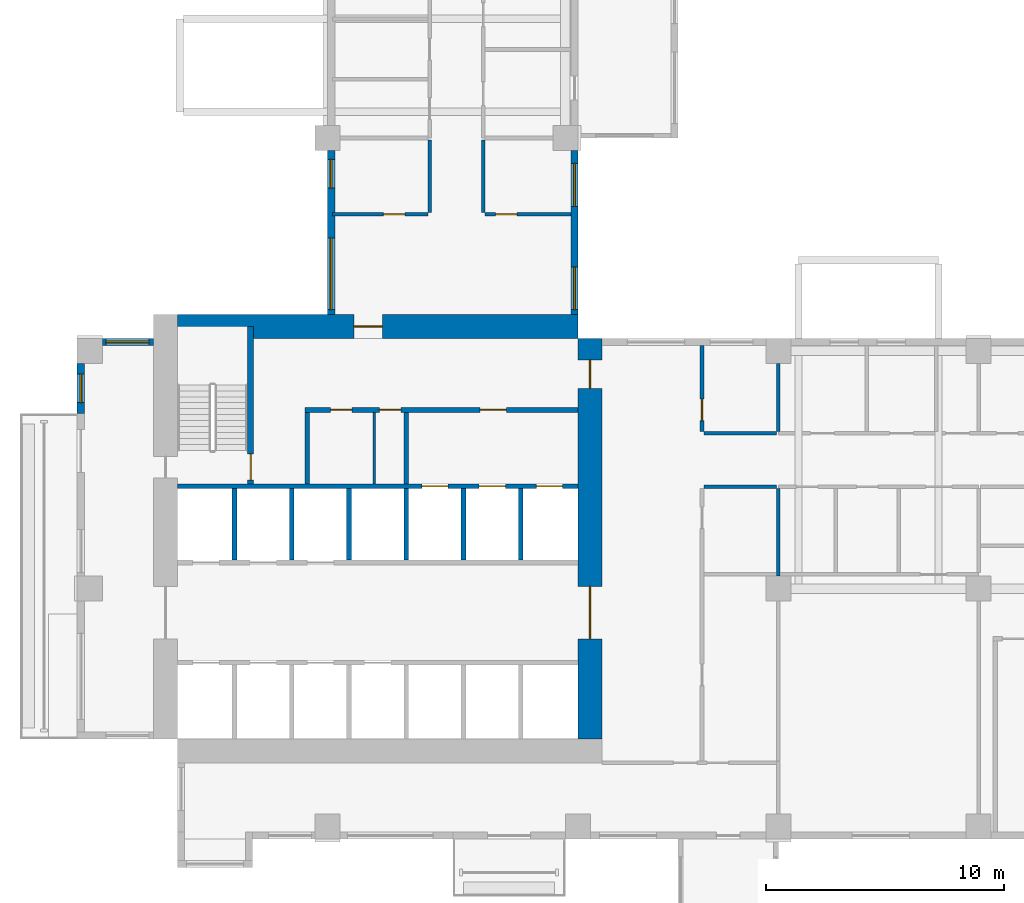
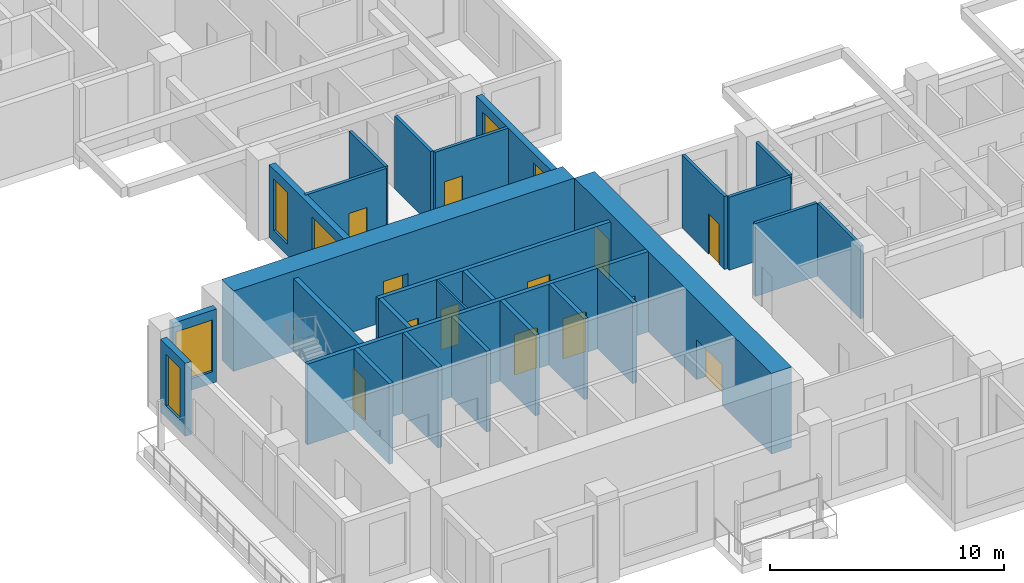
# One storey, part 3 of 14: 27 walls, 13 doors, 6 windows, 19 openings.
"""IFC4 building model written with IfcOpenShell, lengths in metres."""

from ifc_helpers import new_model, si_unit, direction, frame, frame_2d, origin, place, context, subcontext, project, spatial, rectangle, extrude, source, transform, mapped, material, layer, layer_set, type_object, element, fill, save


model = new_model("IFC4")

# Units and contexts
model_context = context("Model", 3, precision=1e-05, world=origin(), true_north=direction((0.0, 1.0)))
body_context = subcontext(model_context, "Body", "Model", "MODEL_VIEW")
ifc_project = project(units=[si_unit("LENGTHUNIT", "METRE"), si_unit("AREAUNIT", "SQUARE_METRE"), si_unit("VOLUMEUNIT", "CUBIC_METRE"), si_unit("PLANEANGLEUNIT", "RADIAN"), si_unit("MASSUNIT", "GRAM", prefix="KILO")], contexts=[model_context])

# Site, building, storey
site_placement = place(None, origin())
site = spatial("IfcSite", under=ifc_project, at=site_placement, CompositionType="ELEMENT")
building_placement = place(site_placement, origin())
building = spatial("IfcBuilding", under=site, at=building_placement, Name="Aurelian Terraces", CompositionType="ELEMENT")
storey_placement = place(building_placement, frame((0.0, 0.0, 132.9)))
storey = spatial("IfcBuildingStorey", under=building, at=storey_placement, Name="L29", CompositionType="ELEMENT", Elevation=132.9)

# Wall, openings, doors
ifc_material_1 = material(Name="Concrete fc' 83 MPa", Category="concrete")
ifc_layer_1 = layer(ifc_material_1, 1.0)
ifc_layer_set_1 = layer_set([ifc_layer_1], Name="CORE WALL 1000 FC83")
wall_type_1 = type_object("IfcWallType", Name="CORE WALL 1000 FC83", PredefinedType="SHEAR", material=ifc_layer_set_1)
shared_shape_1 = source(origin(), body_context, "Body", "SweptSolid", [
    extrude(rectangle(XDim=16.8, YDim=1.0, at=frame_2d((8.4, 0.0))), origin(), (0.0, 0.0, 1.0), 4.2),
])
wall_1_placement = place(storey_placement, frame((21.5, 4.2, 0.0), z_axis=(0.0, 0.0, 1.0), x_axis=(0.0, 1.0, 0.0)))
wall_1 = element("IfcWall", 1, at=wall_1_placement, inside=storey, type_object=wall_type_1, Name="Core wall E L29", PredefinedType="SHEAR", context=body_context, shape_type="MappedRepresentation", body=[
    mapped(shared_shape_1, transform((0.0, 0.0, 0.0), scale=1.0)),
])
shared_shape_2 = source(origin(), body_context, "Body", "SweptSolid", [
    extrude(rectangle(XDim=2.2, YDim=2.1, at=frame_2d((1.1, 1.05))), frame((0.0, 0.51, 0.0), z_axis=(0.0, -1.0, 0.0), x_axis=(1.0, 0.0, 0.0)), (0.0, 0.0, 1.0), 1.02),
])
opening_1_placement = place(wall_1_placement, frame((4.2, 0.0, 0.0)))
opening_1 = element("IfcOpeningElement", 2, at=opening_1_placement, cuts=wall_1, Name="Opening 63220", PredefinedType="OPENING", context=body_context, shape_type="MappedRepresentation", body=[
    mapped(shared_shape_2, transform((0.0, 0.0, 0.0), scale=1.0)),
])
shared_shape_3 = source(origin(), body_context, "Body", "SweptSolid", [
    extrude(rectangle(XDim=1.2, YDim=2.1, at=frame_2d((0.6, 1.05))), frame((0.0, 0.51, 0.0), z_axis=(0.0, -1.0, 0.0), x_axis=(1.0, 0.0, 0.0)), (0.0, 0.0, 1.0), 1.02),
])
opening_2_placement = place(wall_1_placement, frame((14.7, 0.0, 0.0)))
opening_2 = element("IfcOpeningElement", 3, at=opening_2_placement, cuts=wall_1, Name="Opening 63223", PredefinedType="OPENING", context=body_context, shape_type="MappedRepresentation", body=[
    mapped(shared_shape_3, transform((0.0, 0.0, 0.0), scale=1.0)),
])
ifc_material_2 = material(Name="Steel door leaf", Category="steel")
door_type_1 = type_object("IfcDoorType", Name="Core fire door 1200x2100 right", OperationType="SINGLE_SWING_RIGHT", PredefinedType="DOOR", material=ifc_material_2)
shared_shape_4 = source(origin(), body_context, "Body", "SweptSolid", [
    extrude(rectangle(XDim=1.2, YDim=2.1, at=frame_2d((0.6, 1.05))), frame((0.0, 0.025, 0.0), z_axis=(0.0, -1.0, 0.0), x_axis=(1.0, 0.0, 0.0)), (0.0, 0.0, 1.0), 0.05),
])
door_1_placement = place(opening_2_placement, origin())
door_1 = element("IfcDoor", 4, at=door_1_placement, inside=storey, type_object=door_type_1, Name="Core door 63223", OperationType="SINGLE_SWING_RIGHT", OverallHeight=2.1, OverallWidth=1.2, PredefinedType="DOOR", context=body_context, shape_type="MappedRepresentation", body=[
    mapped(shared_shape_4, transform((0.0, 0.0, 0.0), scale=1.0)),
])
fill(opening_2, door_1)
door_type_2 = type_object("IfcDoorType", Name="Core double door 2200x2100", OperationType="DOUBLE_DOOR_SINGLE_SWING", PredefinedType="DOOR", material=ifc_material_2)
shared_shape_5 = source(origin(), body_context, "Body", "SweptSolid", [
    extrude(rectangle(XDim=2.2, YDim=2.1, at=frame_2d((1.1, 1.05))), frame((0.0, 0.025, 0.0), z_axis=(0.0, -1.0, 0.0), x_axis=(1.0, 0.0, 0.0)), (0.0, 0.0, 1.0), 0.05),
])
door_2_placement = place(opening_1_placement, origin())
door_2 = element("IfcDoor", 5, at=door_2_placement, inside=storey, type_object=door_type_2, Name="Core door 63220", OperationType="DOUBLE_DOOR_SINGLE_SWING", OverallHeight=2.1, OverallWidth=2.2, PredefinedType="DOOR", context=body_context, shape_type="MappedRepresentation", body=[
    mapped(shared_shape_5, transform((0.0, 0.0, 0.0), scale=1.0)),
])
fill(opening_1, door_2)

# Wall, opening, door
wall_2_placement = place(storey_placement, frame((4.2, 21.5, 0.0), z_axis=(0.0, 0.0, 1.0), x_axis=(1.0, 0.0, 0.0)))
wall_2 = element("IfcWall", 6, at=wall_2_placement, inside=storey, type_object=wall_type_1, Name="Core wall N L29", PredefinedType="SHEAR", context=body_context, shape_type="MappedRepresentation", body=[
    mapped(shared_shape_1, transform((0.0, 0.0, 0.0), scale=1.0)),
])
opening_3_placement = place(wall_2_placement, frame((7.4, 0.0, 0.0)))
opening_3 = element("IfcOpeningElement", 7, at=opening_3_placement, cuts=wall_2, Name="Opening 63222", PredefinedType="OPENING", context=body_context, shape_type="MappedRepresentation", body=[
    mapped(shared_shape_3, transform((0.0, 0.0, 0.0), scale=1.0)),
])
door_type_3 = type_object("IfcDoorType", Name="Core fire door 1200x2100", OperationType="SINGLE_SWING_LEFT", PredefinedType="DOOR", material=ifc_material_2)
door_3_placement = place(opening_3_placement, origin())
door_3 = element("IfcDoor", 8, at=door_3_placement, inside=storey, type_object=door_type_3, Name="Core door 63222", OperationType="SINGLE_SWING_LEFT", OverallHeight=2.1, OverallWidth=1.2, PredefinedType="DOOR", context=body_context, shape_type="MappedRepresentation", body=[
    mapped(shared_shape_4, transform((0.0, 0.0, 0.0), scale=1.0)),
])
fill(opening_3, door_3)

# Wall, openings, windows
ifc_material_3 = material(Name="Terracotta rainscreen cladding", Category="masonry")
ifc_layer_2 = layer(ifc_material_3, 0.3)
ifc_layer_set_2 = layer_set([ifc_layer_2], Name="EW-300")
wall_type_2 = type_object("IfcWallType", Name="EW-300", PredefinedType="STANDARD", material=ifc_layer_set_2)
shared_shape_6 = source(origin(), body_context, "Body", "SweptSolid", [
    extrude(rectangle(XDim=6.875, YDim=0.3, at=frame_2d((3.4375, 0.0))), origin(), (0.0, 0.0, 1.0), 3.8),
])
wall_3_placement = place(storey_placement, frame((20.85, 22.0, 0.0), z_axis=(0.0, 0.0, 1.0), x_axis=(0.0, 1.0, 0.0)))
wall_3 = element("IfcWall", 9, at=wall_3_placement, inside=storey, type_object=wall_type_2, Name="External wall L29 F08.22", PredefinedType="STANDARD", context=body_context, shape_type="MappedRepresentation", body=[
    mapped(shared_shape_6, transform((0.0, 0.0, 0.0), scale=1.0)),
])
shared_shape_7 = source(origin(), body_context, "Body", "SweptSolid", [
    extrude(rectangle(XDim=1.8, YDim=2.7, at=frame_2d((0.9, 1.35))), frame((0.0, 0.16, 0.0), z_axis=(0.0, -1.0, 0.0), x_axis=(1.0, 0.0, 0.0)), (0.0, 0.0, 1.0), 0.32),
])
opening_4_placement = place(wall_3_placement, frame((0.2, 0.0, 0.6)))
opening_4 = element("IfcOpeningElement", 10, at=opening_4_placement, cuts=wall_3, Name="Opening W1827", PredefinedType="OPENING", context=body_context, shape_type="MappedRepresentation", body=[
    mapped(shared_shape_7, transform((0.0, 0.0, 0.0), scale=1.0)),
])
opening_5_placement = place(wall_3_placement, frame((4.5375, 0.0, 0.6)))
opening_5 = element("IfcOpeningElement", 11, at=opening_5_placement, cuts=wall_3, Name="Opening W1827", PredefinedType="OPENING", context=body_context, shape_type="MappedRepresentation", body=[
    mapped(shared_shape_7, transform((0.0, 0.0, 0.0), scale=1.0)),
])
ifc_material_4 = material(Name="Clear glazing", Category="glass")
window_type_1 = type_object("IfcWindowType", Name="W-1800x2700", PartitioningType="SINGLE_PANEL", PredefinedType="WINDOW", material=ifc_material_4)
shared_shape_8 = source(origin(), body_context, "Body", "SweptSolid", [
    extrude(rectangle(XDim=1.8, YDim=2.7, at=frame_2d((0.9, 1.35))), frame((0.0, 0.03, 0.0), z_axis=(0.0, -1.0, 0.0), x_axis=(1.0, 0.0, 0.0)), (0.0, 0.0, 1.0), 0.06),
])
window_1_placement = place(opening_4_placement, origin())
window_1 = element("IfcWindow", 12, at=window_1_placement, inside=storey, type_object=window_type_1, Name="Window L29 L29-F08-22-0", OverallHeight=2.7, OverallWidth=1.8, PartitioningType="SINGLE_PANEL", PredefinedType="WINDOW", context=body_context, shape_type="MappedRepresentation", body=[
    mapped(shared_shape_8, transform((0.0, 0.0, 0.0), scale=1.0)),
])
fill(opening_4, window_1)
window_2_placement = place(opening_5_placement, origin())
window_2 = element("IfcWindow", 13, at=window_2_placement, inside=storey, type_object=window_type_1, Name="Window L29 L29-F08-22-1", OverallHeight=2.7, OverallWidth=1.8, PartitioningType="SINGLE_PANEL", PredefinedType="WINDOW", context=body_context, shape_type="MappedRepresentation", body=[
    mapped(shared_shape_8, transform((0.0, 0.0, 0.0), scale=1.0)),
])
fill(opening_5, window_2)

wall_4_placement = place(storey_placement, frame((10.65, 28.875, 0.0), z_axis=(0.0, 0.0, 1.0), x_axis=(0.0, -1.0, 0.0)))
wall_4 = element("IfcWall", 14, at=wall_4_placement, inside=storey, type_object=wall_type_2, Name="External wall L29 F18.36", PredefinedType="STANDARD", context=body_context, shape_type="MappedRepresentation", body=[
    mapped(shared_shape_6, transform((0.0, 0.0, 0.0), scale=1.0)),
])
shared_shape_9 = source(origin(), body_context, "Body", "SweptSolid", [
    extrude(rectangle(XDim=1.2, YDim=2.7, at=frame_2d((0.6, 1.35))), frame((0.0, 0.16, 0.0), z_axis=(0.0, -1.0, 0.0), x_axis=(1.0, 0.0, 0.0)), (0.0, 0.0, 1.0), 0.32),
])
opening_6_placement = place(wall_4_placement, frame((0.375, 0.0, 0.6)))
opening_6 = element("IfcOpeningElement", 15, at=opening_6_placement, cuts=wall_4, Name="Opening W1227", PredefinedType="OPENING", context=body_context, shape_type="MappedRepresentation", body=[
    mapped(shared_shape_9, transform((0.0, 0.0, 0.0), scale=1.0)),
])
shared_shape_10 = source(origin(), body_context, "Body", "SweptSolid", [
    extrude(rectangle(XDim=3.0, YDim=2.7, at=frame_2d((1.5, 1.35))), frame((0.0, 0.16, 0.0), z_axis=(0.0, -1.0, 0.0), x_axis=(1.0, 0.0, 0.0)), (0.0, 0.0, 1.0), 0.32),
])
opening_7_placement = place(wall_4_placement, frame((3.675, 0.0, 0.6)))
opening_7 = element("IfcOpeningElement", 16, at=opening_7_placement, cuts=wall_4, Name="Opening W3027", PredefinedType="OPENING", context=body_context, shape_type="MappedRepresentation", body=[
    mapped(shared_shape_10, transform((0.0, 0.0, 0.0), scale=1.0)),
])
window_type_2 = type_object("IfcWindowType", Name="W-1200x2700", PartitioningType="SINGLE_PANEL", PredefinedType="WINDOW", material=ifc_material_4)
shared_shape_11 = source(origin(), body_context, "Body", "SweptSolid", [
    extrude(rectangle(XDim=1.2, YDim=2.7, at=frame_2d((0.6, 1.35))), frame((0.0, 0.03, 0.0), z_axis=(0.0, -1.0, 0.0), x_axis=(1.0, 0.0, 0.0)), (0.0, 0.0, 1.0), 0.06),
])
window_3_placement = place(opening_6_placement, origin())
window_3 = element("IfcWindow", 17, at=window_3_placement, inside=storey, type_object=window_type_2, Name="Window L29 L29-F18-36-2", OverallHeight=2.7, OverallWidth=1.2, PartitioningType="SINGLE_PANEL", PredefinedType="WINDOW", context=body_context, shape_type="MappedRepresentation", body=[
    mapped(shared_shape_11, transform((0.0, 0.0, 0.0), scale=1.0)),
])
fill(opening_6, window_3)
window_type_3 = type_object("IfcWindowType", Name="W-3000x2700", PartitioningType="SINGLE_PANEL", PredefinedType="WINDOW", material=ifc_material_4)
shared_shape_12 = source(origin(), body_context, "Body", "SweptSolid", [
    extrude(rectangle(XDim=3.0, YDim=2.7, at=frame_2d((1.5, 1.35))), frame((0.0, 0.03, 0.0), z_axis=(0.0, -1.0, 0.0), x_axis=(1.0, 0.0, 0.0)), (0.0, 0.0, 1.0), 0.06),
])
window_4_placement = place(opening_7_placement, origin())
window_4 = element("IfcWindow", 18, at=window_4_placement, inside=storey, type_object=window_type_3, Name="Window L29 L29-F18-36-3", OverallHeight=2.7, OverallWidth=3.0, PartitioningType="SINGLE_PANEL", PredefinedType="WINDOW", context=body_context, shape_type="MappedRepresentation", body=[
    mapped(shared_shape_12, transform((0.0, 0.0, 0.0), scale=1.0)),
])
fill(opening_7, window_4)

# Wall, opening, window
shared_shape_13 = source(origin(), body_context, "Body", "SweptSolid", [
    extrude(rectangle(XDim=2.15, YDim=0.3, at=frame_2d((1.075, 0.0))), origin(), (0.0, 0.0, 1.0), 3.8),
])
wall_5_placement = place(storey_placement, frame((3.2, 20.85, 0.0), z_axis=(0.0, 0.0, 1.0), x_axis=(-1.0, 0.0, 0.0)))
wall_5 = element("IfcWall", 19, at=wall_5_placement, inside=storey, type_object=wall_type_2, Name="External wall L29 F21.39", PredefinedType="STANDARD", context=body_context, shape_type="MappedRepresentation", body=[
    mapped(shared_shape_13, transform((0.0, 0.0, 0.0), scale=1.0)),
])
opening_8_placement = place(wall_5_placement, frame((0.2, 0.0, 0.6)))
opening_8 = element("IfcOpeningElement", 20, at=opening_8_placement, cuts=wall_5, Name="Opening W1827", PredefinedType="OPENING", context=body_context, shape_type="MappedRepresentation", body=[
    mapped(shared_shape_7, transform((0.0, 0.0, 0.0), scale=1.0)),
])
window_5_placement = place(opening_8_placement, origin())
window_5 = element("IfcWindow", 21, at=window_5_placement, inside=storey, type_object=window_type_1, Name="Window L29 L29-F21-39-0", OverallHeight=2.7, OverallWidth=1.8, PartitioningType="SINGLE_PANEL", PredefinedType="WINDOW", context=body_context, shape_type="MappedRepresentation", body=[
    mapped(shared_shape_8, transform((0.0, 0.0, 0.0), scale=1.0)),
])
fill(opening_8, window_5)

shared_shape_14 = source(origin(), body_context, "Body", "SweptSolid", [
    extrude(rectangle(XDim=2.1, YDim=0.3, at=frame_2d((1.05, 0.0))), origin(), (0.0, 0.0, 1.0), 3.8),
])
wall_6_placement = place(storey_placement, frame((0.15, 19.95, 0.0), z_axis=(0.0, 0.0, 1.0), x_axis=(0.0, -1.0, 0.0)))
wall_6 = element("IfcWall", 22, at=wall_6_placement, inside=storey, type_object=wall_type_2, Name="External wall L29 F22.40", PredefinedType="STANDARD", context=body_context, shape_type="MappedRepresentation", body=[
    mapped(shared_shape_14, transform((0.0, 0.0, 0.0), scale=1.0)),
])
opening_9_placement = place(wall_6_placement, frame((0.45, 0.0, 0.6)))
opening_9 = element("IfcOpeningElement", 23, at=opening_9_placement, cuts=wall_6, Name="Opening W1227", PredefinedType="OPENING", context=body_context, shape_type="MappedRepresentation", body=[
    mapped(shared_shape_9, transform((0.0, 0.0, 0.0), scale=1.0)),
])
window_6_placement = place(opening_9_placement, origin())
window_6 = element("IfcWindow", 24, at=window_6_placement, inside=storey, type_object=window_type_2, Name="Window L29 L29-F22-40-P0", OverallHeight=2.7, OverallWidth=1.2, PartitioningType="SINGLE_PANEL", PredefinedType="WINDOW", context=body_context, shape_type="MappedRepresentation", body=[
    mapped(shared_shape_11, transform((0.0, 0.0, 0.0), scale=1.0)),
])
fill(opening_9, window_6)

# Walls
ifc_material_5 = material(Name="Concrete fc' 40 MPa", Category="concrete")
ifc_layer_3 = layer(ifc_material_5, 0.2)
ifc_layer_set_3 = layer_set([ifc_layer_3], Name="Lift shaft wall 200")
wall_type_3 = type_object("IfcWallType", Name="Lift shaft wall 200", PredefinedType="SOLIDWALL", material=ifc_layer_set_3)
shared_shape_15 = source(origin(), body_context, "Body", "SweptSolid", [
    extrude(rectangle(XDim=3.0, YDim=0.2, at=frame_2d((1.5, 0.0))), origin(), (0.0, 0.0, 1.0), 4.2),
])
for number, where, z_axis, x_axis, name in (
    (25, (6.6, 11.7, 0.0), (0.0, 0.0, 1.0), (0.0, 1.0, 0.0), "L29 core wall CD-B1"),
    (26, (9.0, 11.7, 0.0), (0.0, 0.0, 1.0), (0.0, 1.0, 0.0), "L29 core wall CD-B2"),
    (27, (11.4, 11.7, 0.0), (0.0, 0.0, 1.0), (0.0, 1.0, 0.0), "L29 core wall CD-B3"),
    (28, (13.8, 11.7, 0.0), (0.0, 0.0, 1.0), (0.0, 1.0, 0.0), "L29 core wall CD-B4"),
    (29, (16.2, 11.7, 0.0), (0.0, 0.0, 1.0), (0.0, 1.0, 0.0), "L29 core wall CD-B5"),
    (30, (18.6, 11.7, 0.0), (0.0, 0.0, 1.0), (0.0, 1.0, 0.0), "L29 core wall CD-B6"),
):
    element("IfcWall", number, at=place(storey_placement, frame(where, z_axis=z_axis, x_axis=x_axis)), inside=storey, type_object=wall_type_3, Name=name, PredefinedType="SOLIDWALL", context=body_context, shape_type="MappedRepresentation", body=[
        mapped(shared_shape_15, transform((0.0, 0.0, 0.0), scale=1.0)),
    ])

# Wall, openings, doors
shared_shape_16 = source(origin(), body_context, "Body", "SweptSolid", [
    extrude(rectangle(XDim=16.8, YDim=0.2, at=frame_2d((8.4, 0.0))), origin(), (0.0, 0.0, 1.0), 4.2),
])
wall_7_placement = place(storey_placement, frame((4.2, 14.8, 0.0), z_axis=(0.0, 0.0, 1.0), x_axis=(1.0, 0.0, 0.0)))
wall_7 = element("IfcWall", 31, at=wall_7_placement, inside=storey, type_object=wall_type_3, Name="L29 core wall CF-BB1", PredefinedType="SOLIDWALL", context=body_context, shape_type="MappedRepresentation", body=[
    mapped(shared_shape_16, transform((0.0, 0.0, 0.0), scale=1.0)),
])
shared_shape_17 = source(origin(), body_context, "Body", "SweptSolid", [
    extrude(rectangle(XDim=1.1, YDim=2.1, at=frame_2d((0.55, 1.05))), frame((0.0, 0.11, 0.0), z_axis=(0.0, -1.0, 0.0), x_axis=(1.0, 0.0, 0.0)), (0.0, 0.0, 1.0), 0.22),
])
opening_10_placement = place(wall_7_placement, frame((10.25, 0.0, 0.0)))
opening_10 = element("IfcOpeningElement", 32, at=opening_10_placement, cuts=wall_7, Name="Opening 63207", PredefinedType="OPENING", context=body_context, shape_type="MappedRepresentation", body=[
    mapped(shared_shape_17, transform((0.0, 0.0, 0.0), scale=1.0)),
])
opening_11_placement = place(wall_7_placement, frame((12.65, 0.0, 0.0)))
opening_11 = element("IfcOpeningElement", 33, at=opening_11_placement, cuts=wall_7, Name="Opening 63208", PredefinedType="OPENING", context=body_context, shape_type="MappedRepresentation", body=[
    mapped(shared_shape_17, transform((0.0, 0.0, 0.0), scale=1.0)),
])
opening_12_placement = place(wall_7_placement, frame((15.05, 0.0, 0.0)))
opening_12 = element("IfcOpeningElement", 34, at=opening_12_placement, cuts=wall_7, Name="Opening 63209", PredefinedType="OPENING", context=body_context, shape_type="MappedRepresentation", body=[
    mapped(shared_shape_17, transform((0.0, 0.0, 0.0), scale=1.0)),
])
ifc_material_6 = material(Name="Stainless steel", Category="steel")
door_type_4 = type_object("IfcDoorType", Name="Lift landing door 1100x2100", OperationType="SLIDING_TO_LEFT", PredefinedType="DOOR", material=ifc_material_6)
shared_shape_18 = source(origin(), body_context, "Body", "SweptSolid", [
    extrude(rectangle(XDim=1.1, YDim=2.1, at=frame_2d((0.55, 1.05))), frame((0.0, 0.025, 0.0), z_axis=(0.0, -1.0, 0.0), x_axis=(1.0, 0.0, 0.0)), (0.0, 0.0, 1.0), 0.05),
])
door_4_placement = place(opening_10_placement, origin())
door_4 = element("IfcDoor", 35, at=door_4_placement, inside=storey, type_object=door_type_4, Name="Lift landing door F1 L29", OperationType="SLIDING_TO_LEFT", OverallHeight=2.1, OverallWidth=1.1, PredefinedType="DOOR", context=body_context, shape_type="MappedRepresentation", body=[
    mapped(shared_shape_18, transform((0.0, 0.0, 0.0), scale=1.0)),
])
fill(opening_10, door_4)
door_5_placement = place(opening_11_placement, origin())
door_5 = element("IfcDoor", 36, at=door_5_placement, inside=storey, type_object=door_type_4, Name="Lift landing door F2 L29", OperationType="SLIDING_TO_LEFT", OverallHeight=2.1, OverallWidth=1.1, PredefinedType="DOOR", context=body_context, shape_type="MappedRepresentation", body=[
    mapped(shared_shape_18, transform((0.0, 0.0, 0.0), scale=1.0)),
])
fill(opening_11, door_5)
door_6_placement = place(opening_12_placement, origin())
door_6 = element("IfcDoor", 37, at=door_6_placement, inside=storey, type_object=door_type_4, Name="Lift landing door F3 L29", OperationType="SLIDING_TO_LEFT", OverallHeight=2.1, OverallWidth=1.1, PredefinedType="DOOR", context=body_context, shape_type="MappedRepresentation", body=[
    mapped(shared_shape_18, transform((0.0, 0.0, 0.0), scale=1.0)),
])
fill(opening_12, door_6)

# Walls
ifc_material_7 = material(Name="Gypsum board on steel studs", Category="steel")
ifc_layer_4 = layer(ifc_material_7, 0.2)
ifc_layer_set_4 = layer_set([ifc_layer_4], Name="Core partition 200")
wall_type_4 = type_object("IfcWallType", Name="Core partition 200", PredefinedType="PARTITIONING", material=ifc_layer_set_4)
shared_shape_19 = source(origin(), body_context, "Body", "SweptSolid", [
    extrude(rectangle(XDim=3.0, YDim=0.2, at=frame_2d((1.5, 0.0))), origin(), (0.0, 0.0, 1.0), 3.8),
])
for number, where, z_axis, x_axis, name in (
    (38, (9.65, 14.9, 0.0), (0.0, 0.0, 1.0), (0.0, 1.0, 0.0), "L29 core wall CP-VEST"),
    (39, (13.8, 14.9, 0.0), (0.0, 0.0, 1.0), (0.0, 1.0, 0.0), "L29 core wall CP-FFL"),
):
    element("IfcWall", number, at=place(storey_placement, frame(where, z_axis=z_axis, x_axis=x_axis)), inside=storey, type_object=wall_type_4, Name=name, PredefinedType="PARTITIONING", context=body_context, shape_type="MappedRepresentation", body=[
        mapped(shared_shape_19, transform((0.0, 0.0, 0.0), scale=1.0)),
    ])
ifc_layer_5 = layer(ifc_material_7, 0.1)
ifc_layer_set_5 = layer_set([ifc_layer_5], Name="Core partition 100")
wall_type_5 = type_object("IfcWallType", Name="Core partition 100", PredefinedType="PARTITIONING", material=ifc_layer_set_5)
shared_shape_20 = source(origin(), body_context, "Body", "SweptSolid", [
    extrude(rectangle(XDim=3.0, YDim=0.1, at=frame_2d((1.5, 0.0))), origin(), (0.0, 0.0, 1.0), 3.8),
])
wall_8_placement = place(storey_placement, frame((12.45, 14.9, 0.0), z_axis=(0.0, 0.0, 1.0), x_axis=(0.0, 1.0, 0.0)))
element("IfcWall", 40, at=wall_8_placement, inside=storey, type_object=wall_type_5, Name="L29 core wall CP-SV1", PredefinedType="PARTITIONING", context=body_context, shape_type="MappedRepresentation", body=[
    mapped(shared_shape_20, transform((0.0, 0.0, 0.0), scale=1.0)),
])

# Wall, opening, door
ifc_layer_6 = layer(ifc_material_5, 0.25)
ifc_layer_set_6 = layer_set([ifc_layer_6], Name="Stair enclosure wall 250")
wall_type_6 = type_object("IfcWallType", Name="Stair enclosure wall 250", PredefinedType="SOLIDWALL", material=ifc_layer_set_6)
shared_shape_21 = source(origin(), body_context, "Body", "SweptSolid", [
    extrude(rectangle(XDim=6.6, YDim=0.25, at=frame_2d((3.3, 0.0))), origin(), (0.0, 0.0, 1.0), 3.8),
])
wall_9_placement = place(storey_placement, frame((7.275, 14.9, 0.0), z_axis=(0.0, 0.0, 1.0), x_axis=(0.0, 1.0, 0.0)))
wall_9 = element("IfcWall", 41, at=wall_9_placement, inside=storey, type_object=wall_type_6, Name="L29 core wall ST-S1-E", PredefinedType="SOLIDWALL", context=body_context, shape_type="MappedRepresentation", body=[
    mapped(shared_shape_21, transform((0.0, 0.0, 0.0), scale=1.0)),
])
shared_shape_22 = source(origin(), body_context, "Body", "SweptSolid", [
    extrude(rectangle(XDim=1.1, YDim=2.1, at=frame_2d((0.55, 1.05))), frame((0.0, 0.135, 0.0), z_axis=(0.0, -1.0, 0.0), x_axis=(1.0, 0.0, 0.0)), (0.0, 0.0, 1.0), 0.27),
])
opening_13_placement = place(wall_9_placement, frame((0.15, 0.0, 0.0)))
opening_13 = element("IfcOpeningElement", 42, at=opening_13_placement, cuts=wall_9, Name="Opening 63210", PredefinedType="OPENING", context=body_context, shape_type="MappedRepresentation", body=[
    mapped(shared_shape_22, transform((0.0, 0.0, 0.0), scale=1.0)),
])
door_type_5 = type_object("IfcDoorType", Name="Core fire door 1100x2100", OperationType="SINGLE_SWING_LEFT", PredefinedType="DOOR", material=ifc_material_2)
door_7_placement = place(opening_13_placement, origin())
door_7 = element("IfcDoor", 43, at=door_7_placement, inside=storey, type_object=door_type_5, Name="Stair door 63210", OperationType="SINGLE_SWING_LEFT", OverallHeight=2.1, OverallWidth=1.1, PredefinedType="DOOR", context=body_context, shape_type="MappedRepresentation", body=[
    mapped(shared_shape_18, transform((0.0, 0.0, 0.0), scale=1.0)),
])
fill(opening_13, door_7)

# Wall, openings, doors
shared_shape_23 = source(origin(), body_context, "Body", "SweptSolid", [
    extrude(rectangle(XDim=11.45, YDim=0.2, at=frame_2d((5.725, 0.0))), origin(), (0.0, 0.0, 1.0), 3.8),
])
wall_10_placement = place(storey_placement, frame((9.55, 18.0, 0.0), z_axis=(0.0, 0.0, 1.0), x_axis=(1.0, 0.0, 0.0)))
wall_10 = element("IfcWall", 44, at=wall_10_placement, inside=storey, type_object=wall_type_4, Name="L29 core wall CP-NORTH", PredefinedType="PARTITIONING", context=body_context, shape_type="MappedRepresentation", body=[
    mapped(shared_shape_23, transform((0.0, 0.0, 0.0), scale=1.0)),
])
shared_shape_24 = source(origin(), body_context, "Body", "SweptSolid", [
    extrude(rectangle(XDim=0.9, YDim=2.1, at=frame_2d((0.45, 1.05))), frame((0.0, 0.11, 0.0), z_axis=(0.0, -1.0, 0.0), x_axis=(1.0, 0.0, 0.0)), (0.0, 0.0, 1.0), 0.22),
])
opening_14_placement = place(wall_10_placement, frame((1.075, 0.0, 0.0)))
opening_14 = element("IfcOpeningElement", 45, at=opening_14_placement, cuts=wall_10, Name="Opening 63211", PredefinedType="OPENING", context=body_context, shape_type="MappedRepresentation", body=[
    mapped(shared_shape_24, transform((0.0, 0.0, 0.0), scale=1.0)),
])
opening_15_placement = place(wall_10_placement, frame((3.125, 0.0, 0.0)))
opening_15 = element("IfcOpeningElement", 46, at=opening_15_placement, cuts=wall_10, Name="Opening 63212", PredefinedType="OPENING", context=body_context, shape_type="MappedRepresentation", body=[
    mapped(shared_shape_24, transform((0.0, 0.0, 0.0), scale=1.0)),
])
opening_16_placement = place(wall_10_placement, frame((7.35, 0.0, 0.0)))
opening_16 = element("IfcOpeningElement", 47, at=opening_16_placement, cuts=wall_10, Name="Opening 63213", PredefinedType="OPENING", context=body_context, shape_type="MappedRepresentation", body=[
    mapped(shared_shape_17, transform((0.0, 0.0, 0.0), scale=1.0)),
])
door_type_6 = type_object("IfcDoorType", Name="Core service door 900x2100 right", OperationType="SINGLE_SWING_RIGHT", PredefinedType="DOOR", material=ifc_material_2)
shared_shape_25 = source(origin(), body_context, "Body", "SweptSolid", [
    extrude(rectangle(XDim=0.9, YDim=2.1, at=frame_2d((0.45, 1.05))), frame((0.0, 0.025, 0.0), z_axis=(0.0, -1.0, 0.0), x_axis=(1.0, 0.0, 0.0)), (0.0, 0.0, 1.0), 0.05),
])
door_8_placement = place(opening_14_placement, origin())
door_8 = element("IfcDoor", 48, at=door_8_placement, inside=storey, type_object=door_type_6, Name="Room door 63211", OperationType="SINGLE_SWING_RIGHT", OverallHeight=2.1, OverallWidth=0.9, PredefinedType="DOOR", context=body_context, shape_type="MappedRepresentation", body=[
    mapped(shared_shape_25, transform((0.0, 0.0, 0.0), scale=1.0)),
])
fill(opening_14, door_8)
door_type_7 = type_object("IfcDoorType", Name="Core riser door 900x2100", OperationType="SINGLE_SWING_LEFT", PredefinedType="DOOR", material=ifc_material_2)
door_9_placement = place(opening_15_placement, origin())
door_9 = element("IfcDoor", 49, at=door_9_placement, inside=storey, type_object=door_type_7, Name="Room door 63212", OperationType="SINGLE_SWING_LEFT", OverallHeight=2.1, OverallWidth=0.9, PredefinedType="DOOR", context=body_context, shape_type="MappedRepresentation", body=[
    mapped(shared_shape_25, transform((0.0, 0.0, 0.0), scale=1.0)),
])
fill(opening_15, door_9)
door_type_8 = type_object("IfcDoorType", Name="Core fire door 1100x2100 right", OperationType="SINGLE_SWING_RIGHT", PredefinedType="DOOR", material=ifc_material_2)
door_10_placement = place(opening_16_placement, origin())
door_10 = element("IfcDoor", 50, at=door_10_placement, inside=storey, type_object=door_type_8, Name="Ff lobby door 63213", OperationType="SINGLE_SWING_RIGHT", OverallHeight=2.1, OverallWidth=1.1, PredefinedType="DOOR", context=body_context, shape_type="MappedRepresentation", body=[
    mapped(shared_shape_18, transform((0.0, 0.0, 0.0), scale=1.0)),
])
fill(opening_16, door_10)

# Wall, opening, door
ifc_layer_7 = layer(ifc_material_7, 0.15)
ifc_layer_set_7 = layer_set([ifc_layer_7], Name="Partition 150")
wall_type_7 = type_object("IfcWallType", Name="Partition 150", PredefinedType="PARTITIONING", material=ifc_layer_set_7)
shared_shape_26 = source(origin(), body_context, "Body", "SweptSolid", [
    extrude(rectangle(XDim=3.6, YDim=0.15, at=frame_2d((1.8, 0.0))), origin(), (0.0, 0.0, 1.0), 3.8),
])
wall_11_placement = place(storey_placement, frame((26.2, 20.7, 0.0), z_axis=(0.0, 0.0, 1.0), x_axis=(0.0, -1.0, 0.0)))
wall_11 = element("IfcWall", 51, at=wall_11_placement, inside=storey, type_object=wall_type_7, Name="Partition", PredefinedType="PARTITIONING", context=body_context, shape_type="MappedRepresentation", body=[
    mapped(shared_shape_26, transform((0.0, 0.0, 0.0), scale=1.0)),
])
shared_shape_27 = source(origin(), body_context, "Body", "SweptSolid", [
    extrude(rectangle(XDim=0.9, YDim=2.1, at=frame_2d((0.45, 1.05))), frame((0.0, 0.085, 0.0), z_axis=(0.0, -1.0, 0.0), x_axis=(1.0, 0.0, 0.0)), (0.0, 0.0, 1.0), 0.17),
])
opening_17_placement = place(wall_11_placement, frame((2.25, 0.0, 0.0)))
opening_17 = element("IfcOpeningElement", 52, at=opening_17_placement, cuts=wall_11, Name="Opening 729003", PredefinedType="OPENING", context=body_context, shape_type="MappedRepresentation", body=[
    mapped(shared_shape_27, transform((0.0, 0.0, 0.0), scale=1.0)),
])
ifc_material_8 = material(Name="Timber door leaf", Category="wood")
door_type_9 = type_object("IfcDoorType", Name="Room door 900x2100 right", OperationType="SINGLE_SWING_RIGHT", PredefinedType="DOOR", material=ifc_material_8)
door_11_placement = place(opening_17_placement, origin())
door_11 = element("IfcDoor", 53, at=door_11_placement, inside=storey, type_object=door_type_9, Name="Door 729003", OperationType="SINGLE_SWING_RIGHT", OverallHeight=2.1, OverallWidth=0.9, PredefinedType="DOOR", context=body_context, shape_type="MappedRepresentation", body=[
    mapped(shared_shape_25, transform((0.0, 0.0, 0.0), scale=1.0)),
])
fill(opening_17, door_11)

wall_12_placement = place(storey_placement, frame((17.1, 26.2, 0.0), z_axis=(0.0, 0.0, 1.0), x_axis=(1.0, 0.0, 0.0)))
wall_12 = element("IfcWall", 54, at=wall_12_placement, inside=storey, type_object=wall_type_7, Name="Partition", PredefinedType="PARTITIONING", context=body_context, shape_type="MappedRepresentation", body=[
    mapped(shared_shape_26, transform((0.0, 0.0, 0.0), scale=1.0)),
])
opening_18_placement = place(wall_12_placement, frame((0.45, 0.0, 0.0)))
opening_18 = element("IfcOpeningElement", 55, at=opening_18_placement, cuts=wall_12, Name="Opening 729033", PredefinedType="OPENING", context=body_context, shape_type="MappedRepresentation", body=[
    mapped(shared_shape_27, transform((0.0, 0.0, 0.0), scale=1.0)),
])
door_12_placement = place(opening_18_placement, origin())
door_12 = element("IfcDoor", 56, at=door_12_placement, inside=storey, type_object=door_type_9, Name="Door 729033", OperationType="SINGLE_SWING_RIGHT", OverallHeight=2.1, OverallWidth=0.9, PredefinedType="DOOR", context=body_context, shape_type="MappedRepresentation", body=[
    mapped(shared_shape_25, transform((0.0, 0.0, 0.0), scale=1.0)),
])
fill(opening_18, door_12)

shared_shape_28 = source(origin(), body_context, "Body", "SweptSolid", [
    extrude(rectangle(XDim=3.995, YDim=0.15, at=frame_2d((1.9975, 0.0))), origin(), (0.0, 0.0, 1.0), 3.8),
])
wall_13_placement = place(storey_placement, frame((10.705, 26.2, 0.0), z_axis=(0.0, 0.0, 1.0), x_axis=(1.0, 0.0, 0.0)))
wall_13 = element("IfcWall", 57, at=wall_13_placement, inside=storey, type_object=wall_type_7, Name="Partition", PredefinedType="PARTITIONING", context=body_context, shape_type="MappedRepresentation", body=[
    mapped(shared_shape_28, transform((0.0, 0.0, 0.0), scale=1.0)),
])
opening_19_placement = place(wall_13_placement, frame((2.1325, 0.0, 0.0)))
opening_19 = element("IfcOpeningElement", 58, at=opening_19_placement, cuts=wall_13, Name="Opening 729032", PredefinedType="OPENING", context=body_context, shape_type="MappedRepresentation", body=[
    mapped(shared_shape_27, transform((0.0, 0.0, 0.0), scale=1.0)),
])
door_type_10 = type_object("IfcDoorType", Name="Room door 900x2100 left", OperationType="SINGLE_SWING_LEFT", PredefinedType="DOOR", material=ifc_material_8)
door_13_placement = place(opening_19_placement, origin())
door_13 = element("IfcDoor", 59, at=door_13_placement, inside=storey, type_object=door_type_10, Name="Door 729032", OperationType="SINGLE_SWING_LEFT", OverallHeight=2.1, OverallWidth=0.9, PredefinedType="DOOR", context=body_context, shape_type="MappedRepresentation", body=[
    mapped(shared_shape_25, transform((0.0, 0.0, 0.0), scale=1.0)),
])
fill(opening_19, door_13)

# Walls
shared_shape_29 = source(origin(), body_context, "Body", "SweptSolid", [
    extrude(rectangle(XDim=2.851, YDim=0.15, at=frame_2d((1.4255, 0.0))), origin(), (0.0, 0.0, 1.0), 3.8),
])
wall_14_placement = place(storey_placement, frame((29.4, 17.1, 0.0), z_axis=(0.0, 0.0, 1.0), x_axis=(0.0, 1.0, 0.0)))
element("IfcWall", 60, at=wall_14_placement, inside=storey, type_object=wall_type_7, Name="Partition", PredefinedType="PARTITIONING", context=body_context, shape_type="MappedRepresentation", body=[
    mapped(shared_shape_29, transform((0.0, 0.0, 0.0), scale=1.0)),
])
shared_shape_30 = source(origin(), body_context, "Body", "SweptSolid", [
    extrude(rectangle(XDim=3.676, YDim=0.15, at=frame_2d((1.838, 0.0))), origin(), (0.0, 0.0, 1.0), 3.8),
])
wall_15_placement = place(storey_placement, frame((29.4, 11.024, 0.0), z_axis=(0.0, 0.0, 1.0), x_axis=(0.0, 1.0, 0.0)))
element("IfcWall", 61, at=wall_15_placement, inside=storey, type_object=wall_type_7, Name="Partition", PredefinedType="PARTITIONING", context=body_context, shape_type="MappedRepresentation", body=[
    mapped(shared_shape_30, transform((0.0, 0.0, 0.0), scale=1.0)),
])
ifc_layer_8 = layer(ifc_material_7, 0.15)
ifc_layer_set_8 = layer_set([ifc_layer_8], Name="Fire partition 150")
wall_type_8 = type_object("IfcWallType", Name="Fire partition 150", PredefinedType="PARTITIONING", material=ifc_layer_set_8)
shared_shape_31 = source(origin(), body_context, "Body", "SweptSolid", [
    extrude(rectangle(XDim=3.05, YDim=0.15, at=frame_2d((1.525, 0.0))), origin(), (0.0, 0.0, 1.0), 3.8),
])
for number, where, z_axis, x_axis, name in (
    (62, (29.325, 14.775, 0.0), (0.0, 0.0, 1.0), (-1.0, 0.0, 0.0), "Corridor wall"),
    (63, (26.275, 17.025, 0.0), (0.0, 0.0, 1.0), (1.0, 0.0, 0.0), "Corridor wall"),
    (64, (14.775, 26.275, 0.0), (0.0, 0.0, 1.0), (0.0, 1.0, 0.0), "Corridor wall"),
    (65, (17.025, 29.325, 0.0), (0.0, 0.0, 1.0), (0.0, -1.0, 0.0), "Corridor wall"),
):
    element("IfcWall", number, at=place(storey_placement, frame(where, z_axis=z_axis, x_axis=x_axis)), inside=storey, type_object=wall_type_8, Name=name, PredefinedType="PARTITIONING", context=body_context, shape_type="MappedRepresentation", body=[
        mapped(shared_shape_31, transform((0.0, 0.0, 0.0), scale=1.0)),
    ])

save(model, "model.ifc")
